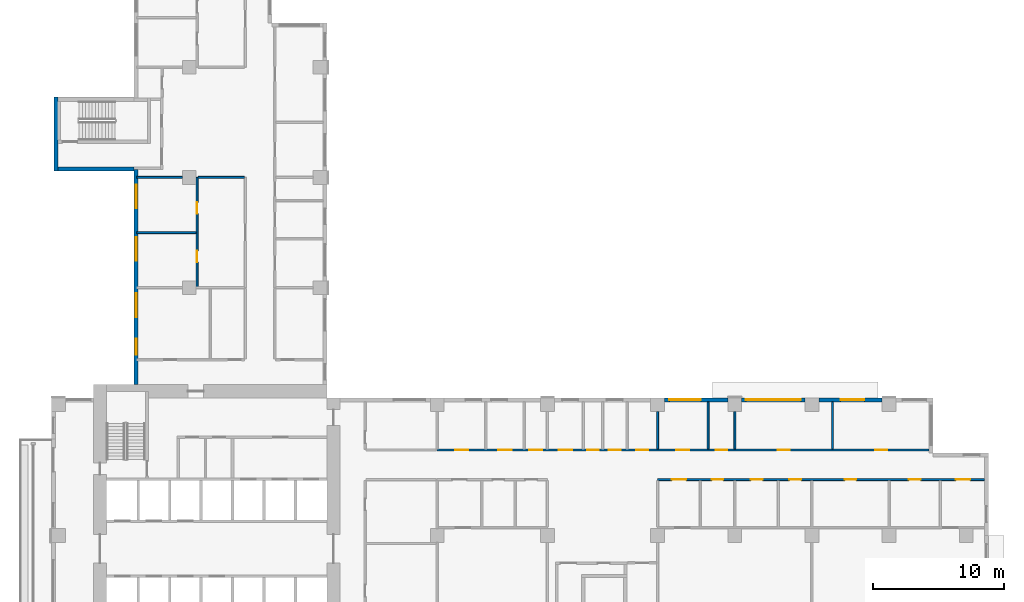
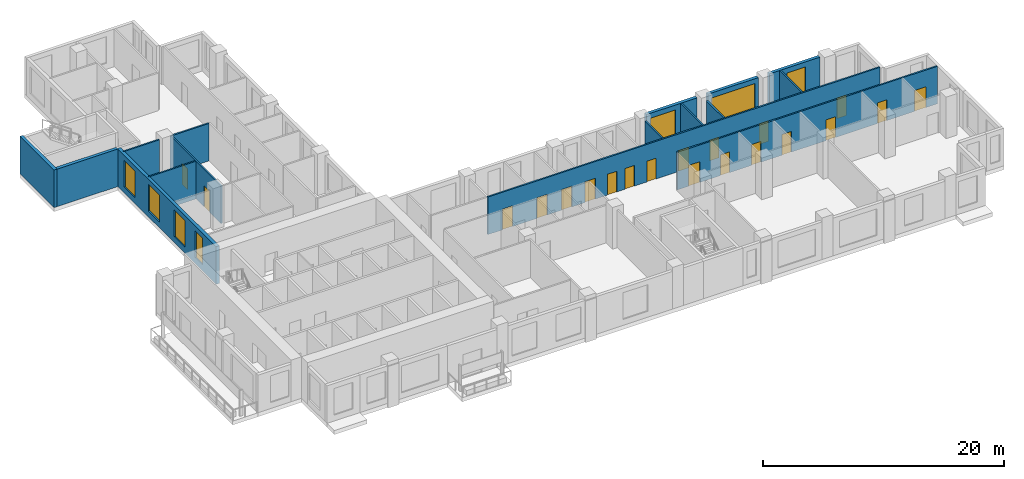
# One storey, part 5 of 13: 20 doors, 16 walls, 7 windows, 27 openings.
"""IFC4 building model written with IfcOpenShell, lengths in metres."""

from ifc_helpers import new_model, si_unit, direction, frame, frame_2d, origin, place, context, subcontext, project, spatial, rectangle, extrude, source, transform, mapped, material, layer, layer_set, type_object, element, fill, save


model = new_model("IFC4")

# Units and contexts
model_context = context("Model", 3, precision=1e-05, world=origin(), true_north=direction((0.0, 1.0)))
body_context = subcontext(model_context, "Body", "Model", "MODEL_VIEW")
ifc_project = project(units=[si_unit("LENGTHUNIT", "METRE"), si_unit("AREAUNIT", "SQUARE_METRE"), si_unit("VOLUMEUNIT", "CUBIC_METRE"), si_unit("PLANEANGLEUNIT", "RADIAN"), si_unit("MASSUNIT", "GRAM", prefix="KILO")], contexts=[model_context])

# Site, building, storey
site_placement = place(None, origin())
site = spatial("IfcSite", under=ifc_project, at=site_placement, CompositionType="ELEMENT")
building_placement = place(site_placement, origin())
building = spatial("IfcBuilding", under=site, at=building_placement, Name="Aurelian Terraces", CompositionType="ELEMENT")
storey_placement = place(building_placement, frame((0.0, 0.0, 158.1)))
storey = spatial("IfcBuildingStorey", under=building, at=storey_placement, Name="L35", CompositionType="ELEMENT", Elevation=158.1)

# Wall
ifc_material_1 = material(Name="Concrete fc' 40 MPa", Category="concrete")
ifc_layer_1 = layer(ifc_material_1, 0.3)
ifc_layer_set_1 = layer_set([ifc_layer_1], Name="STAIR BAY WALL 300")
wall_type_1 = type_object("IfcWallType", Name="STAIR BAY WALL 300", PredefinedType="SOLIDWALL", material=ifc_layer_set_1)
shared_shape_1 = source(origin(), body_context, "Body", "SweptSolid", [
    extrude(rectangle(XDim=6.1, YDim=0.3, at=frame_2d((3.05, 0.0))), origin(), (0.0, 0.0, 1.0), 3.8),
])
wall_1_placement = place(storey_placement, frame((0.2, 38.45, 0.0), z_axis=(0.0, 0.0, 1.0), x_axis=(1.0, 0.0, 0.0)))
element("IfcWall", 1, at=wall_1_placement, inside=storey, type_object=wall_type_1, Name="Stair bay wall L35 F15.32", PredefinedType="SOLIDWALL", context=body_context, shape_type="MappedRepresentation", body=[
    mapped(shared_shape_1, transform((0.0, 0.0, 0.0), scale=1.0)),
])

# Wall, opening, window
ifc_material_2 = material(Name="Terracotta rainscreen cladding", Category="masonry")
ifc_layer_2 = layer(ifc_material_2, 0.3)
ifc_layer_set_2 = layer_set([ifc_layer_2], Name="EW-300")
wall_type_2 = type_object("IfcWallType", Name="EW-300", PredefinedType="STANDARD", material=ifc_layer_set_2)
shared_shape_2 = source(origin(), body_context, "Body", "SweptSolid", [
    extrude(rectangle(XDim=4.83, YDim=0.3, at=frame_2d((2.415, 0.0))), origin(), (0.0, 0.0, 1.0), 3.8),
])
wall_2_placement = place(storey_placement, frame((63.315, 20.85, 0.0), z_axis=(0.0, 0.0, 1.0), x_axis=(-1.0, 0.0, 0.0)))
wall_2 = element("IfcWall", 2, at=wall_2_placement, inside=storey, type_object=wall_type_2, Name="External wall L35 F07.19", PredefinedType="STANDARD", context=body_context, shape_type="MappedRepresentation", body=[
    mapped(shared_shape_2, transform((0.0, 0.0, 0.0), scale=1.0)),
])
shared_shape_3 = source(origin(), body_context, "Body", "SweptSolid", [
    extrude(rectangle(XDim=1.8, YDim=2.7, at=frame_2d((0.9, 1.35))), frame((0.0, 0.16, 0.0), z_axis=(0.0, -1.0, 0.0), x_axis=(1.0, 0.0, 0.0)), (0.0, 0.0, 1.0), 0.32),
])
opening_1_placement = place(wall_2_placement, frame((1.3635, 0.0, 0.6)))
opening_1 = element("IfcOpeningElement", 3, at=opening_1_placement, cuts=wall_2, Name="Opening W1827", PredefinedType="OPENING", context=body_context, shape_type="MappedRepresentation", body=[
    mapped(shared_shape_3, transform((0.0, 0.0, 0.0), scale=1.0)),
])
ifc_material_3 = material(Name="Clear glazing", Category="glass")
window_type_1 = type_object("IfcWindowType", Name="W-1800x2700", PartitioningType="SINGLE_PANEL", PredefinedType="WINDOW", material=ifc_material_3)
shared_shape_4 = source(origin(), body_context, "Body", "SweptSolid", [
    extrude(rectangle(XDim=1.8, YDim=2.7, at=frame_2d((0.9, 1.35))), frame((0.0, 0.03, 0.0), z_axis=(0.0, -1.0, 0.0), x_axis=(1.0, 0.0, 0.0)), (0.0, 0.0, 1.0), 0.06),
])
window_1_placement = place(opening_1_placement, origin())
window_1 = element("IfcWindow", 4, at=window_1_placement, inside=storey, type_object=window_type_1, Name="Window L35 L35-F07-19-1", OverallHeight=2.7, OverallWidth=1.8, PartitioningType="SINGLE_PANEL", PredefinedType="WINDOW", context=body_context, shape_type="MappedRepresentation", body=[
    mapped(shared_shape_4, transform((0.0, 0.0, 0.0), scale=1.0)),
])
fill(opening_1, window_1)

wall_3_placement = place(storey_placement, frame((57.435, 20.85, 0.0), z_axis=(0.0, 0.0, 1.0), x_axis=(-1.0, 0.0, 0.0)))
wall_3 = element("IfcWall", 5, at=wall_3_placement, inside=storey, type_object=wall_type_2, Name="External wall L35 F07.19", PredefinedType="STANDARD", context=body_context, shape_type="MappedRepresentation", body=[
    mapped(shared_shape_2, transform((0.0, 0.0, 0.0), scale=1.0)),
])
shared_shape_5 = source(origin(), body_context, "Body", "SweptSolid", [
    extrude(rectangle(XDim=4.2, YDim=2.7, at=frame_2d((2.1, 1.35))), frame((0.0, 0.16, 0.0), z_axis=(0.0, -1.0, 0.0), x_axis=(1.0, 0.0, 0.0)), (0.0, 0.0, 1.0), 0.32),
])
opening_2_placement = place(wall_3_placement, frame((0.315, 0.0, 0.6)))
opening_2 = element("IfcOpeningElement", 6, at=opening_2_placement, cuts=wall_3, Name="Opening W4227", PredefinedType="OPENING", context=body_context, shape_type="MappedRepresentation", body=[
    mapped(shared_shape_5, transform((0.0, 0.0, 0.0), scale=1.0)),
])
window_type_2 = type_object("IfcWindowType", Name="W-4200x2700", PartitioningType="SINGLE_PANEL", PredefinedType="WINDOW", material=ifc_material_3)
shared_shape_6 = source(origin(), body_context, "Body", "SweptSolid", [
    extrude(rectangle(XDim=4.2, YDim=2.7, at=frame_2d((2.1, 1.35))), frame((0.0, 0.03, 0.0), z_axis=(0.0, -1.0, 0.0), x_axis=(1.0, 0.0, 0.0)), (0.0, 0.0, 1.0), 0.06),
])
window_2_placement = place(opening_2_placement, origin())
window_2 = element("IfcWindow", 7, at=window_2_placement, inside=storey, type_object=window_type_2, Name="Window L35 L35-F07-19-P2", OverallHeight=2.7, OverallWidth=4.2, PartitioningType="SINGLE_PANEL", PredefinedType="WINDOW", context=body_context, shape_type="MappedRepresentation", body=[
    mapped(shared_shape_6, transform((0.0, 0.0, 0.0), scale=1.0)),
])
fill(opening_2, window_2)

wall_4_placement = place(storey_placement, frame((51.555, 20.85, 0.0), z_axis=(0.0, 0.0, 1.0), x_axis=(-1.0, 0.0, 0.0)))
wall_4 = element("IfcWall", 8, at=wall_4_placement, inside=storey, type_object=wall_type_2, Name="External wall L35 F07.19", PredefinedType="STANDARD", context=body_context, shape_type="MappedRepresentation", body=[
    mapped(shared_shape_2, transform((0.0, 0.0, 0.0), scale=1.0)),
])
shared_shape_7 = source(origin(), body_context, "Body", "SweptSolid", [
    extrude(rectangle(XDim=2.4, YDim=2.7, at=frame_2d((1.2, 1.35))), frame((0.0, 0.16, 0.0), z_axis=(0.0, -1.0, 0.0), x_axis=(1.0, 0.0, 0.0)), (0.0, 0.0, 1.0), 0.32),
])
opening_3_placement = place(wall_4_placement, frame((2.055, 0.0, 0.6)))
opening_3 = element("IfcOpeningElement", 9, at=opening_3_placement, cuts=wall_4, Name="Opening W2427", PredefinedType="OPENING", context=body_context, shape_type="MappedRepresentation", body=[
    mapped(shared_shape_7, transform((0.0, 0.0, 0.0), scale=1.0)),
])
window_type_3 = type_object("IfcWindowType", Name="W-2400x2700", PartitioningType="SINGLE_PANEL", PredefinedType="WINDOW", material=ifc_material_3)
shared_shape_8 = source(origin(), body_context, "Body", "SweptSolid", [
    extrude(rectangle(XDim=2.4, YDim=2.7, at=frame_2d((1.2, 1.35))), frame((0.0, 0.03, 0.0), z_axis=(0.0, -1.0, 0.0), x_axis=(1.0, 0.0, 0.0)), (0.0, 0.0, 1.0), 0.06),
])
window_3_placement = place(opening_3_placement, origin())
window_3 = element("IfcWindow", 10, at=window_3_placement, inside=storey, type_object=window_type_3, Name="Window L35 L35-F07-19-4", OverallHeight=2.7, OverallWidth=2.4, PartitioningType="SINGLE_PANEL", PredefinedType="WINDOW", context=body_context, shape_type="MappedRepresentation", body=[
    mapped(shared_shape_8, transform((0.0, 0.0, 0.0), scale=1.0)),
])
fill(opening_3, window_3)

# Wall
shared_shape_9 = source(origin(), body_context, "Body", "SweptSolid", [
    extrude(rectangle(XDim=5.65, YDim=0.3, at=frame_2d((2.825, 0.0))), origin(), (0.0, 0.0, 1.0), 3.8),
])
wall_5_placement = place(storey_placement, frame((0.35, 43.95, 0.0), z_axis=(0.0, 0.0, 1.0), x_axis=(0.0, -1.0, 0.0)))
element("IfcWall", 11, at=wall_5_placement, inside=storey, type_object=wall_type_1, Name="Stair bay wall L35 F14.31", PredefinedType="SOLIDWALL", context=body_context, shape_type="MappedRepresentation", body=[
    mapped(shared_shape_9, transform((0.0, 0.0, 0.0), scale=1.0)),
])

# Wall, openings, windows
shared_shape_10 = source(origin(), body_context, "Body", "SweptSolid", [
    extrude(rectangle(XDim=16.4, YDim=0.3, at=frame_2d((8.2, 0.0))), origin(), (0.0, 0.0, 1.0), 3.8),
])
wall_6_placement = place(storey_placement, frame((6.45, 38.4, 0.0), z_axis=(0.0, 0.0, 1.0), x_axis=(0.0, -1.0, 0.0)))
wall_6 = element("IfcWall", 12, at=wall_6_placement, inside=storey, type_object=wall_type_2, Name="External wall L35 F16.33", PredefinedType="STANDARD", context=body_context, shape_type="MappedRepresentation", body=[
    mapped(shared_shape_10, transform((0.0, 0.0, 0.0), scale=1.0)),
])
opening_4_placement = place(wall_6_placement, frame((1.15, 0.0, 0.6)))
opening_4 = element("IfcOpeningElement", 13, at=opening_4_placement, cuts=wall_6, Name="Opening W1827", PredefinedType="OPENING", context=body_context, shape_type="MappedRepresentation", body=[
    mapped(shared_shape_3, transform((0.0, 0.0, 0.0), scale=1.0)),
])
opening_5_placement = place(wall_6_placement, frame((5.1625, 0.0, 0.6)))
opening_5 = element("IfcOpeningElement", 14, at=opening_5_placement, cuts=wall_6, Name="Opening W1827", PredefinedType="OPENING", context=body_context, shape_type="MappedRepresentation", body=[
    mapped(shared_shape_3, transform((0.0, 0.0, 0.0), scale=1.0)),
])
opening_6_placement = place(wall_6_placement, frame((9.4375, 0.0, 0.6)))
opening_6 = element("IfcOpeningElement", 15, at=opening_6_placement, cuts=wall_6, Name="Opening W1827", PredefinedType="OPENING", context=body_context, shape_type="MappedRepresentation", body=[
    mapped(shared_shape_3, transform((0.0, 0.0, 0.0), scale=1.0)),
])
shared_shape_11 = source(origin(), body_context, "Body", "SweptSolid", [
    extrude(rectangle(XDim=1.2, YDim=2.7, at=frame_2d((0.6, 1.35))), frame((0.0, 0.16, 0.0), z_axis=(0.0, -1.0, 0.0), x_axis=(1.0, 0.0, 0.0)), (0.0, 0.0, 1.0), 0.32),
])
opening_7_placement = place(wall_6_placement, frame((12.9125, 0.0, 0.6)))
opening_7 = element("IfcOpeningElement", 16, at=opening_7_placement, cuts=wall_6, Name="Opening W1227", PredefinedType="OPENING", context=body_context, shape_type="MappedRepresentation", body=[
    mapped(shared_shape_11, transform((0.0, 0.0, 0.0), scale=1.0)),
])
window_4_placement = place(opening_4_placement, origin())
window_4 = element("IfcWindow", 17, at=window_4_placement, inside=storey, type_object=window_type_1, Name="Window L35 L35-F16-33-0", OverallHeight=2.7, OverallWidth=1.8, PartitioningType="SINGLE_PANEL", PredefinedType="WINDOW", context=body_context, shape_type="MappedRepresentation", body=[
    mapped(shared_shape_4, transform((0.0, 0.0, 0.0), scale=1.0)),
])
fill(opening_4, window_4)
window_5_placement = place(opening_5_placement, origin())
window_5 = element("IfcWindow", 18, at=window_5_placement, inside=storey, type_object=window_type_1, Name="Window L35 L35-F16-33-1", OverallHeight=2.7, OverallWidth=1.8, PartitioningType="SINGLE_PANEL", PredefinedType="WINDOW", context=body_context, shape_type="MappedRepresentation", body=[
    mapped(shared_shape_4, transform((0.0, 0.0, 0.0), scale=1.0)),
])
fill(opening_5, window_5)
window_6_placement = place(opening_6_placement, origin())
window_6 = element("IfcWindow", 19, at=window_6_placement, inside=storey, type_object=window_type_1, Name="Window L35 L35-F16-33-2", OverallHeight=2.7, OverallWidth=1.8, PartitioningType="SINGLE_PANEL", PredefinedType="WINDOW", context=body_context, shape_type="MappedRepresentation", body=[
    mapped(shared_shape_4, transform((0.0, 0.0, 0.0), scale=1.0)),
])
fill(opening_6, window_6)
window_type_4 = type_object("IfcWindowType", Name="W-1200x2700", PartitioningType="SINGLE_PANEL", PredefinedType="WINDOW", material=ifc_material_3)
shared_shape_12 = source(origin(), body_context, "Body", "SweptSolid", [
    extrude(rectangle(XDim=1.2, YDim=2.7, at=frame_2d((0.6, 1.35))), frame((0.0, 0.03, 0.0), z_axis=(0.0, -1.0, 0.0), x_axis=(1.0, 0.0, 0.0)), (0.0, 0.0, 1.0), 0.06),
])
window_7_placement = place(opening_7_placement, origin())
window_7 = element("IfcWindow", 20, at=window_7_placement, inside=storey, type_object=window_type_4, Name="Window L35 L35-F16-33-3", OverallHeight=2.7, OverallWidth=1.2, PartitioningType="SINGLE_PANEL", PredefinedType="WINDOW", context=body_context, shape_type="MappedRepresentation", body=[
    mapped(shared_shape_12, transform((0.0, 0.0, 0.0), scale=1.0)),
])
fill(opening_7, window_7)

# Walls
ifc_material_4 = material(Name="Gypsum board on steel studs", Category="steel")
ifc_layer_3 = layer(ifc_material_4, 0.15)
ifc_layer_set_3 = layer_set([ifc_layer_3], Name="Partition 150")
wall_type_3 = type_object("IfcWallType", Name="Partition 150", PredefinedType="PARTITIONING", material=ifc_layer_set_3)
shared_shape_13 = source(origin(), body_context, "Body", "SweptSolid", [
    extrude(rectangle(XDim=3.6, YDim=0.15, at=frame_2d((1.8, 0.0))), origin(), (0.0, 0.0, 1.0), 3.8),
])
for number, where, z_axis, x_axis, name in (
    (21, (50.0568, 20.7, 0.0), (0.0, 0.0, 1.0), (0.0, -1.0, 0.0), "Partition"),
    (22, (59.5275, 20.7, 0.0), (0.0, 0.0, 1.0), (0.0, -1.0, 0.0), "Partition"),
):
    element("IfcWall", number, at=place(storey_placement, frame(where, z_axis=z_axis, x_axis=x_axis)), inside=storey, type_object=wall_type_3, Name=name, PredefinedType="PARTITIONING", context=body_context, shape_type="MappedRepresentation", body=[
        mapped(shared_shape_13, transform((0.0, 0.0, 0.0), scale=1.0)),
    ])

# Wall, openings, doors
shared_shape_14 = source(origin(), body_context, "Body", "SweptSolid", [
    extrude(rectangle(XDim=8.4, YDim=0.15, at=frame_2d((4.2, 0.0))), origin(), (0.0, 0.0, 1.0), 3.8),
])
wall_7_placement = place(storey_placement, frame((11.1, 29.4, 0.0), z_axis=(0.0, 0.0, 1.0), x_axis=(0.0, 1.0, 0.0)))
wall_7 = element("IfcWall", 23, at=wall_7_placement, inside=storey, type_object=wall_type_3, Name="Partition", PredefinedType="PARTITIONING", context=body_context, shape_type="MappedRepresentation", body=[
    mapped(shared_shape_14, transform((0.0, 0.0, 0.0), scale=1.0)),
])
shared_shape_15 = source(origin(), body_context, "Body", "SweptSolid", [
    extrude(rectangle(XDim=0.9, YDim=2.1, at=frame_2d((0.45, 1.05))), frame((0.0, 0.085, 0.0), z_axis=(0.0, -1.0, 0.0), x_axis=(1.0, 0.0, 0.0)), (0.0, 0.0, 1.0), 0.17),
])
opening_8_placement = place(wall_7_placement, frame((1.925, 0.0, 0.0)))
opening_8 = element("IfcOpeningElement", 24, at=opening_8_placement, cuts=wall_7, Name="Opening 735035", PredefinedType="OPENING", context=body_context, shape_type="MappedRepresentation", body=[
    mapped(shared_shape_15, transform((0.0, 0.0, 0.0), scale=1.0)),
])
opening_9_placement = place(wall_7_placement, frame((5.625, 0.0, 0.0)))
opening_9 = element("IfcOpeningElement", 25, at=opening_9_placement, cuts=wall_7, Name="Opening 735036", PredefinedType="OPENING", context=body_context, shape_type="MappedRepresentation", body=[
    mapped(shared_shape_15, transform((0.0, 0.0, 0.0), scale=1.0)),
])
ifc_material_5 = material(Name="Timber door leaf", Category="wood")
door_type_1 = type_object("IfcDoorType", Name="Room door 900x2100 right", OperationType="SINGLE_SWING_RIGHT", PredefinedType="DOOR", material=ifc_material_5)
shared_shape_16 = source(origin(), body_context, "Body", "SweptSolid", [
    extrude(rectangle(XDim=0.9, YDim=2.1, at=frame_2d((0.45, 1.05))), frame((0.0, 0.025, 0.0), z_axis=(0.0, -1.0, 0.0), x_axis=(1.0, 0.0, 0.0)), (0.0, 0.0, 1.0), 0.05),
])
door_1_placement = place(opening_8_placement, origin())
door_1 = element("IfcDoor", 26, at=door_1_placement, inside=storey, type_object=door_type_1, Name="Door 735035", OperationType="SINGLE_SWING_RIGHT", OverallHeight=2.1, OverallWidth=0.9, PredefinedType="DOOR", context=body_context, shape_type="MappedRepresentation", body=[
    mapped(shared_shape_16, transform((0.0, 0.0, 0.0), scale=1.0)),
])
fill(opening_8, door_1)
door_type_2 = type_object("IfcDoorType", Name="Room door 900x2100 left", OperationType="SINGLE_SWING_LEFT", PredefinedType="DOOR", material=ifc_material_5)
door_2_placement = place(opening_9_placement, origin())
door_2 = element("IfcDoor", 27, at=door_2_placement, inside=storey, type_object=door_type_2, Name="Door 735036", OperationType="SINGLE_SWING_LEFT", OverallHeight=2.1, OverallWidth=0.9, PredefinedType="DOOR", context=body_context, shape_type="MappedRepresentation", body=[
    mapped(shared_shape_16, transform((0.0, 0.0, 0.0), scale=1.0)),
])
fill(opening_9, door_2)

ifc_layer_4 = layer(ifc_material_4, 0.15)
ifc_layer_set_4 = layer_set([ifc_layer_4], Name="Fire partition 150")
wall_type_4 = type_object("IfcWallType", Name="Fire partition 150", PredefinedType="PARTITIONING", material=ifc_layer_set_4)
shared_shape_17 = source(origin(), body_context, "Body", "SweptSolid", [
    extrude(rectangle(XDim=24.9, YDim=0.15, at=frame_2d((12.45, 0.0))), origin(), (0.0, 0.0, 1.0), 3.8),
])
wall_8_placement = place(storey_placement, frame((71.1, 14.775, 0.0), z_axis=(0.0, 0.0, 1.0), x_axis=(-1.0, 0.0, 0.0)))
wall_8 = element("IfcWall", 28, at=wall_8_placement, inside=storey, type_object=wall_type_4, Name="Corridor wall", PredefinedType="PARTITIONING", context=body_context, shape_type="MappedRepresentation", body=[
    mapped(shared_shape_17, transform((0.0, 0.0, 0.0), scale=1.0)),
])
shared_shape_18 = source(origin(), body_context, "Body", "SweptSolid", [
    extrude(rectangle(XDim=1.1, YDim=2.1, at=frame_2d((0.55, 1.05))), frame((0.0, 0.085, 0.0), z_axis=(0.0, -1.0, 0.0), x_axis=(1.0, 0.0, 0.0)), (0.0, 0.0, 1.0), 0.17),
])
opening_10_placement = place(wall_8_placement, frame((22.7261, 0.0, 0.0)))
opening_10 = element("IfcOpeningElement", 29, at=opening_10_placement, cuts=wall_8, Name="Opening 735010", PredefinedType="OPENING", context=body_context, shape_type="MappedRepresentation", body=[
    mapped(shared_shape_18, transform((0.0, 0.0, 0.0), scale=1.0)),
])
opening_11_placement = place(wall_8_placement, frame((19.8861, 0.0, 0.0)))
opening_11 = element("IfcOpeningElement", 30, at=opening_11_placement, cuts=wall_8, Name="Opening 735012", PredefinedType="OPENING", context=body_context, shape_type="MappedRepresentation", body=[
    mapped(shared_shape_15, transform((0.0, 0.0, 0.0), scale=1.0)),
])
opening_12_placement = place(wall_8_placement, frame((16.9052, 0.0, 0.0)))
opening_12 = element("IfcOpeningElement", 31, at=opening_12_placement, cuts=wall_8, Name="Opening 735013", PredefinedType="OPENING", context=body_context, shape_type="MappedRepresentation", body=[
    mapped(shared_shape_15, transform((0.0, 0.0, 0.0), scale=1.0)),
])
opening_13_placement = place(wall_8_placement, frame((13.9652, 0.0, 0.0)))
opening_13 = element("IfcOpeningElement", 32, at=opening_13_placement, cuts=wall_8, Name="Opening 735014", PredefinedType="OPENING", context=body_context, shape_type="MappedRepresentation", body=[
    mapped(shared_shape_15, transform((0.0, 0.0, 0.0), scale=1.0)),
])
opening_14_placement = place(wall_8_placement, frame((1.0884, 0.0, 0.0)))
opening_14 = element("IfcOpeningElement", 33, at=opening_14_placement, cuts=wall_8, Name="Opening 735015", PredefinedType="OPENING", context=body_context, shape_type="MappedRepresentation", body=[
    mapped(shared_shape_18, transform((0.0, 0.0, 0.0), scale=1.0)),
])
opening_15_placement = place(wall_8_placement, frame((9.75, 0.0, 0.0)))
opening_15 = element("IfcOpeningElement", 34, at=opening_15_placement, cuts=wall_8, Name="Opening 735017", PredefinedType="OPENING", context=body_context, shape_type="MappedRepresentation", body=[
    mapped(shared_shape_15, transform((0.0, 0.0, 0.0), scale=1.0)),
])
opening_16_placement = place(wall_8_placement, frame((4.8559, 0.0, 0.0)))
opening_16 = element("IfcOpeningElement", 35, at=opening_16_placement, cuts=wall_8, Name="Opening 735018", PredefinedType="OPENING", context=body_context, shape_type="MappedRepresentation", body=[
    mapped(shared_shape_15, transform((0.0, 0.0, 0.0), scale=1.0)),
])
door_3_placement = place(opening_11_placement, origin())
door_3 = element("IfcDoor", 36, at=door_3_placement, inside=storey, type_object=door_type_2, Name="Door 735012", OperationType="SINGLE_SWING_LEFT", OverallHeight=2.1, OverallWidth=0.9, PredefinedType="DOOR", context=body_context, shape_type="MappedRepresentation", body=[
    mapped(shared_shape_16, transform((0.0, 0.0, 0.0), scale=1.0)),
])
fill(opening_11, door_3)
door_4_placement = place(opening_12_placement, origin())
door_4 = element("IfcDoor", 37, at=door_4_placement, inside=storey, type_object=door_type_1, Name="Door 735013", OperationType="SINGLE_SWING_RIGHT", OverallHeight=2.1, OverallWidth=0.9, PredefinedType="DOOR", context=body_context, shape_type="MappedRepresentation", body=[
    mapped(shared_shape_16, transform((0.0, 0.0, 0.0), scale=1.0)),
])
fill(opening_12, door_4)
door_5_placement = place(opening_13_placement, origin())
door_5 = element("IfcDoor", 38, at=door_5_placement, inside=storey, type_object=door_type_2, Name="Door 735014", OperationType="SINGLE_SWING_LEFT", OverallHeight=2.1, OverallWidth=0.9, PredefinedType="DOOR", context=body_context, shape_type="MappedRepresentation", body=[
    mapped(shared_shape_16, transform((0.0, 0.0, 0.0), scale=1.0)),
])
fill(opening_13, door_5)
door_6_placement = place(opening_15_placement, origin())
door_6 = element("IfcDoor", 39, at=door_6_placement, inside=storey, type_object=door_type_2, Name="Door 735017", OperationType="SINGLE_SWING_LEFT", OverallHeight=2.1, OverallWidth=0.9, PredefinedType="DOOR", context=body_context, shape_type="MappedRepresentation", body=[
    mapped(shared_shape_16, transform((0.0, 0.0, 0.0), scale=1.0)),
])
fill(opening_15, door_6)
door_7_placement = place(opening_16_placement, origin())
door_7 = element("IfcDoor", 40, at=door_7_placement, inside=storey, type_object=door_type_1, Name="Door 735018", OperationType="SINGLE_SWING_RIGHT", OverallHeight=2.1, OverallWidth=0.9, PredefinedType="DOOR", context=body_context, shape_type="MappedRepresentation", body=[
    mapped(shared_shape_16, transform((0.0, 0.0, 0.0), scale=1.0)),
])
fill(opening_16, door_7)
door_type_3 = type_object("IfcDoorType", Name="Room door 1100x2100 left", OperationType="SINGLE_SWING_LEFT", PredefinedType="DOOR", material=ifc_material_5)
shared_shape_19 = source(origin(), body_context, "Body", "SweptSolid", [
    extrude(rectangle(XDim=1.1, YDim=2.1, at=frame_2d((0.55, 1.05))), frame((0.0, 0.025, 0.0), z_axis=(0.0, -1.0, 0.0), x_axis=(1.0, 0.0, 0.0)), (0.0, 0.0, 1.0), 0.05),
])
door_8_placement = place(opening_10_placement, origin())
door_8 = element("IfcDoor", 41, at=door_8_placement, inside=storey, type_object=door_type_3, Name="Door 735010", OperationType="SINGLE_SWING_LEFT", OverallHeight=2.1, OverallWidth=1.1, PredefinedType="DOOR", context=body_context, shape_type="MappedRepresentation", body=[
    mapped(shared_shape_19, transform((0.0, 0.0, 0.0), scale=1.0)),
])
fill(opening_10, door_8)
door_9_placement = place(opening_14_placement, origin())
door_9 = element("IfcDoor", 42, at=door_9_placement, inside=storey, type_object=door_type_3, Name="Door 735015", OperationType="SINGLE_SWING_LEFT", OverallHeight=2.1, OverallWidth=1.1, PredefinedType="DOOR", context=body_context, shape_type="MappedRepresentation", body=[
    mapped(shared_shape_19, transform((0.0, 0.0, 0.0), scale=1.0)),
])
fill(opening_14, door_9)

shared_shape_20 = source(origin(), body_context, "Body", "SweptSolid", [
    extrude(rectangle(XDim=37.5, YDim=0.15, at=frame_2d((18.75, 0.0))), origin(), (0.0, 0.0, 1.0), 3.8),
])
wall_9_placement = place(storey_placement, frame((29.4, 17.025, 0.0), z_axis=(0.0, 0.0, 1.0), x_axis=(1.0, 0.0, 0.0)))
wall_9 = element("IfcWall", 43, at=wall_9_placement, inside=storey, type_object=wall_type_4, Name="Corridor wall", PredefinedType="PARTITIONING", context=body_context, shape_type="MappedRepresentation", body=[
    mapped(shared_shape_20, transform((0.0, 0.0, 0.0), scale=1.0)),
])
shared_shape_21 = source(origin(), body_context, "Body", "SweptSolid", [
    extrude(rectangle(XDim=1.0, YDim=2.1, at=frame_2d((0.5, 1.05))), frame((0.0, 0.085, 0.0), z_axis=(0.0, -1.0, 0.0), x_axis=(1.0, 0.0, 0.0)), (0.0, 0.0, 1.0), 0.17),
])
opening_17_placement = place(wall_9_placement, frame((1.3567, 0.0, 0.0)))
opening_17 = element("IfcOpeningElement", 44, at=opening_17_placement, cuts=wall_9, Name="Opening 735019", PredefinedType="OPENING", context=body_context, shape_type="MappedRepresentation", body=[
    mapped(shared_shape_21, transform((0.0, 0.0, 0.0), scale=1.0)),
])
opening_18_placement = place(wall_9_placement, frame((4.6686, 0.0, 0.0)))
opening_18 = element("IfcOpeningElement", 45, at=opening_18_placement, cuts=wall_9, Name="Opening 735020", PredefinedType="OPENING", context=body_context, shape_type="MappedRepresentation", body=[
    mapped(shared_shape_21, transform((0.0, 0.0, 0.0), scale=1.0)),
])
opening_19_placement = place(wall_9_placement, frame((7.012, 0.0, 0.0)))
opening_19 = element("IfcOpeningElement", 46, at=opening_19_placement, cuts=wall_9, Name="Opening 735021", PredefinedType="OPENING", context=body_context, shape_type="MappedRepresentation", body=[
    mapped(shared_shape_21, transform((0.0, 0.0, 0.0), scale=1.0)),
])
opening_20_placement = place(wall_9_placement, frame((9.274, 0.0, 0.0)))
opening_20 = element("IfcOpeningElement", 47, at=opening_20_placement, cuts=wall_9, Name="Opening 735022", PredefinedType="OPENING", context=body_context, shape_type="MappedRepresentation", body=[
    mapped(shared_shape_21, transform((0.0, 0.0, 0.0), scale=1.0)),
])
opening_21_placement = place(wall_9_placement, frame((11.424, 0.0, 0.0)))
opening_21 = element("IfcOpeningElement", 48, at=opening_21_placement, cuts=wall_9, Name="Opening 735023", PredefinedType="OPENING", context=body_context, shape_type="MappedRepresentation", body=[
    mapped(shared_shape_15, transform((0.0, 0.0, 0.0), scale=1.0)),
])
opening_22_placement = place(wall_9_placement, frame((13.0839, 0.0, 0.0)))
opening_22 = element("IfcOpeningElement", 49, at=opening_22_placement, cuts=wall_9, Name="Opening 735024", PredefinedType="OPENING", context=body_context, shape_type="MappedRepresentation", body=[
    mapped(shared_shape_15, transform((0.0, 0.0, 0.0), scale=1.0)),
])
opening_23_placement = place(wall_9_placement, frame((15.1839, 0.0, 0.0)))
opening_23 = element("IfcOpeningElement", 50, at=opening_23_placement, cuts=wall_9, Name="Opening 735025", PredefinedType="OPENING", context=body_context, shape_type="MappedRepresentation", body=[
    mapped(shared_shape_15, transform((0.0, 0.0, 0.0), scale=1.0)),
])
opening_24_placement = place(wall_9_placement, frame((18.2284, 0.0, 0.0)))
opening_24 = element("IfcOpeningElement", 51, at=opening_24_placement, cuts=wall_9, Name="Opening 735026", PredefinedType="OPENING", context=body_context, shape_type="MappedRepresentation", body=[
    mapped(shared_shape_21, transform((0.0, 0.0, 0.0), scale=1.0)),
])
opening_25_placement = place(wall_9_placement, frame((21.2184, 0.0, 0.0)))
opening_25 = element("IfcOpeningElement", 52, at=opening_25_placement, cuts=wall_9, Name="Opening 735027", PredefinedType="OPENING", context=body_context, shape_type="MappedRepresentation", body=[
    mapped(shared_shape_15, transform((0.0, 0.0, 0.0), scale=1.0)),
])
opening_26_placement = place(wall_9_placement, frame((25.9538, 0.0, 0.0)))
opening_26 = element("IfcOpeningElement", 53, at=opening_26_placement, cuts=wall_9, Name="Opening 735028", PredefinedType="OPENING", context=body_context, shape_type="MappedRepresentation", body=[
    mapped(shared_shape_15, transform((0.0, 0.0, 0.0), scale=1.0)),
])
opening_27_placement = place(wall_9_placement, frame((33.4012, 0.0, 0.0)))
opening_27 = element("IfcOpeningElement", 54, at=opening_27_placement, cuts=wall_9, Name="Opening 735029", PredefinedType="OPENING", context=body_context, shape_type="MappedRepresentation", body=[
    mapped(shared_shape_15, transform((0.0, 0.0, 0.0), scale=1.0)),
])
door_type_4 = type_object("IfcDoorType", Name="Room door 1000x2100 left", OperationType="SINGLE_SWING_LEFT", PredefinedType="DOOR", material=ifc_material_5)
shared_shape_22 = source(origin(), body_context, "Body", "SweptSolid", [
    extrude(rectangle(XDim=1.0, YDim=2.1, at=frame_2d((0.5, 1.05))), frame((0.0, 0.025, 0.0), z_axis=(0.0, -1.0, 0.0), x_axis=(1.0, 0.0, 0.0)), (0.0, 0.0, 1.0), 0.05),
])
door_10_placement = place(opening_17_placement, origin())
door_10 = element("IfcDoor", 55, at=door_10_placement, inside=storey, type_object=door_type_4, Name="Door 735019", OperationType="SINGLE_SWING_LEFT", OverallHeight=2.1, OverallWidth=1.0, PredefinedType="DOOR", context=body_context, shape_type="MappedRepresentation", body=[
    mapped(shared_shape_22, transform((0.0, 0.0, 0.0), scale=1.0)),
])
fill(opening_17, door_10)
door_type_5 = type_object("IfcDoorType", Name="Room door 1000x2100 right", OperationType="SINGLE_SWING_RIGHT", PredefinedType="DOOR", material=ifc_material_5)
door_11_placement = place(opening_18_placement, origin())
door_11 = element("IfcDoor", 56, at=door_11_placement, inside=storey, type_object=door_type_5, Name="Door 735020", OperationType="SINGLE_SWING_RIGHT", OverallHeight=2.1, OverallWidth=1.0, PredefinedType="DOOR", context=body_context, shape_type="MappedRepresentation", body=[
    mapped(shared_shape_22, transform((0.0, 0.0, 0.0), scale=1.0)),
])
fill(opening_18, door_11)
door_12_placement = place(opening_19_placement, origin())
door_12 = element("IfcDoor", 57, at=door_12_placement, inside=storey, type_object=door_type_4, Name="Door 735021", OperationType="SINGLE_SWING_LEFT", OverallHeight=2.1, OverallWidth=1.0, PredefinedType="DOOR", context=body_context, shape_type="MappedRepresentation", body=[
    mapped(shared_shape_22, transform((0.0, 0.0, 0.0), scale=1.0)),
])
fill(opening_19, door_12)
door_13_placement = place(opening_20_placement, origin())
door_13 = element("IfcDoor", 58, at=door_13_placement, inside=storey, type_object=door_type_4, Name="Door 735022", OperationType="SINGLE_SWING_LEFT", OverallHeight=2.1, OverallWidth=1.0, PredefinedType="DOOR", context=body_context, shape_type="MappedRepresentation", body=[
    mapped(shared_shape_22, transform((0.0, 0.0, 0.0), scale=1.0)),
])
fill(opening_20, door_13)
door_14_placement = place(opening_24_placement, origin())
door_14 = element("IfcDoor", 59, at=door_14_placement, inside=storey, type_object=door_type_4, Name="Door 735026", OperationType="SINGLE_SWING_LEFT", OverallHeight=2.1, OverallWidth=1.0, PredefinedType="DOOR", context=body_context, shape_type="MappedRepresentation", body=[
    mapped(shared_shape_22, transform((0.0, 0.0, 0.0), scale=1.0)),
])
fill(opening_24, door_14)
door_15_placement = place(opening_21_placement, origin())
door_15 = element("IfcDoor", 60, at=door_15_placement, inside=storey, type_object=door_type_1, Name="Door 735023", OperationType="SINGLE_SWING_RIGHT", OverallHeight=2.1, OverallWidth=0.9, PredefinedType="DOOR", context=body_context, shape_type="MappedRepresentation", body=[
    mapped(shared_shape_16, transform((0.0, 0.0, 0.0), scale=1.0)),
])
fill(opening_21, door_15)
door_16_placement = place(opening_22_placement, origin())
door_16 = element("IfcDoor", 61, at=door_16_placement, inside=storey, type_object=door_type_2, Name="Door 735024", OperationType="SINGLE_SWING_LEFT", OverallHeight=2.1, OverallWidth=0.9, PredefinedType="DOOR", context=body_context, shape_type="MappedRepresentation", body=[
    mapped(shared_shape_16, transform((0.0, 0.0, 0.0), scale=1.0)),
])
fill(opening_22, door_16)
door_17_placement = place(opening_23_placement, origin())
door_17 = element("IfcDoor", 62, at=door_17_placement, inside=storey, type_object=door_type_1, Name="Door 735025", OperationType="SINGLE_SWING_RIGHT", OverallHeight=2.1, OverallWidth=0.9, PredefinedType="DOOR", context=body_context, shape_type="MappedRepresentation", body=[
    mapped(shared_shape_16, transform((0.0, 0.0, 0.0), scale=1.0)),
])
fill(opening_23, door_17)
door_18_placement = place(opening_25_placement, origin())
door_18 = element("IfcDoor", 63, at=door_18_placement, inside=storey, type_object=door_type_1, Name="Door 735027", OperationType="SINGLE_SWING_RIGHT", OverallHeight=2.1, OverallWidth=0.9, PredefinedType="DOOR", context=body_context, shape_type="MappedRepresentation", body=[
    mapped(shared_shape_16, transform((0.0, 0.0, 0.0), scale=1.0)),
])
fill(opening_25, door_18)
door_19_placement = place(opening_26_placement, origin())
door_19 = element("IfcDoor", 64, at=door_19_placement, inside=storey, type_object=door_type_2, Name="Door 735028", OperationType="SINGLE_SWING_LEFT", OverallHeight=2.1, OverallWidth=0.9, PredefinedType="DOOR", context=body_context, shape_type="MappedRepresentation", body=[
    mapped(shared_shape_16, transform((0.0, 0.0, 0.0), scale=1.0)),
])
fill(opening_26, door_19)
door_20_placement = place(opening_27_placement, origin())
door_20 = element("IfcDoor", 65, at=door_20_placement, inside=storey, type_object=door_type_1, Name="Door 735029", OperationType="SINGLE_SWING_RIGHT", OverallHeight=2.1, OverallWidth=0.9, PredefinedType="DOOR", context=body_context, shape_type="MappedRepresentation", body=[
    mapped(shared_shape_16, transform((0.0, 0.0, 0.0), scale=1.0)),
])
fill(opening_27, door_20)

# Walls
shared_shape_23 = source(origin(), body_context, "Body", "SweptSolid", [
    extrude(rectangle(XDim=2.851, YDim=0.15, at=frame_2d((1.4255, 0.0))), origin(), (0.0, 0.0, 1.0), 3.8),
])
for number, where, z_axis, x_axis, name in (
    (66, (46.2, 17.1, 0.0), (0.0, 0.0, 1.0), (0.0, 1.0, 0.0), "Partition"),
    (67, (52.08, 17.1, 0.0), (0.0, 0.0, 1.0), (0.0, 1.0, 0.0), "Partition"),
):
    element("IfcWall", number, at=place(storey_placement, frame(where, z_axis=z_axis, x_axis=x_axis)), inside=storey, type_object=wall_type_3, Name=name, PredefinedType="PARTITIONING", context=body_context, shape_type="MappedRepresentation", body=[
        mapped(shared_shape_23, transform((0.0, 0.0, 0.0), scale=1.0)),
    ])
shared_shape_24 = source(origin(), body_context, "Body", "SweptSolid", [
    extrude(rectangle(XDim=3.471, YDim=0.15, at=frame_2d((1.7355, 0.0))), origin(), (0.0, 0.0, 1.0), 3.8),
])
wall_10_placement = place(storey_placement, frame((9.976, 37.8, 0.0), z_axis=(0.0, 0.0, 1.0), x_axis=(-1.0, 0.0, 0.0)))
element("IfcWall", 68, at=wall_10_placement, inside=storey, type_object=wall_type_3, Name="Partition", PredefinedType="PARTITIONING", context=body_context, shape_type="MappedRepresentation", body=[
    mapped(shared_shape_24, transform((0.0, 0.0, 0.0), scale=1.0)),
])
shared_shape_25 = source(origin(), body_context, "Body", "SweptSolid", [
    extrude(rectangle(XDim=3.525, YDim=0.15, at=frame_2d((1.7625, 0.0))), origin(), (0.0, 0.0, 1.0), 3.8),
])
wall_11_placement = place(storey_placement, frame((14.7, 37.8, 0.0), z_axis=(0.0, 0.0, 1.0), x_axis=(-1.0, 0.0, 0.0)))
element("IfcWall", 69, at=wall_11_placement, inside=storey, type_object=wall_type_3, Name="Partition", PredefinedType="PARTITIONING", context=body_context, shape_type="MappedRepresentation", body=[
    mapped(shared_shape_25, transform((0.0, 0.0, 0.0), scale=1.0)),
])
shared_shape_26 = source(origin(), body_context, "Body", "SweptSolid", [
    extrude(rectangle(XDim=4.52, YDim=0.15, at=frame_2d((2.26, 0.0))), origin(), (0.0, 0.0, 1.0), 3.8),
])
wall_12_placement = place(storey_placement, frame((11.025, 33.6, 0.0), z_axis=(0.0, 0.0, 1.0), x_axis=(-1.0, 0.0, 0.0)))
element("IfcWall", 70, at=wall_12_placement, inside=storey, type_object=wall_type_3, Name="Partition", PredefinedType="PARTITIONING", context=body_context, shape_type="MappedRepresentation", body=[
    mapped(shared_shape_26, transform((0.0, 0.0, 0.0), scale=1.0)),
])

save(model, "model.ifc")
